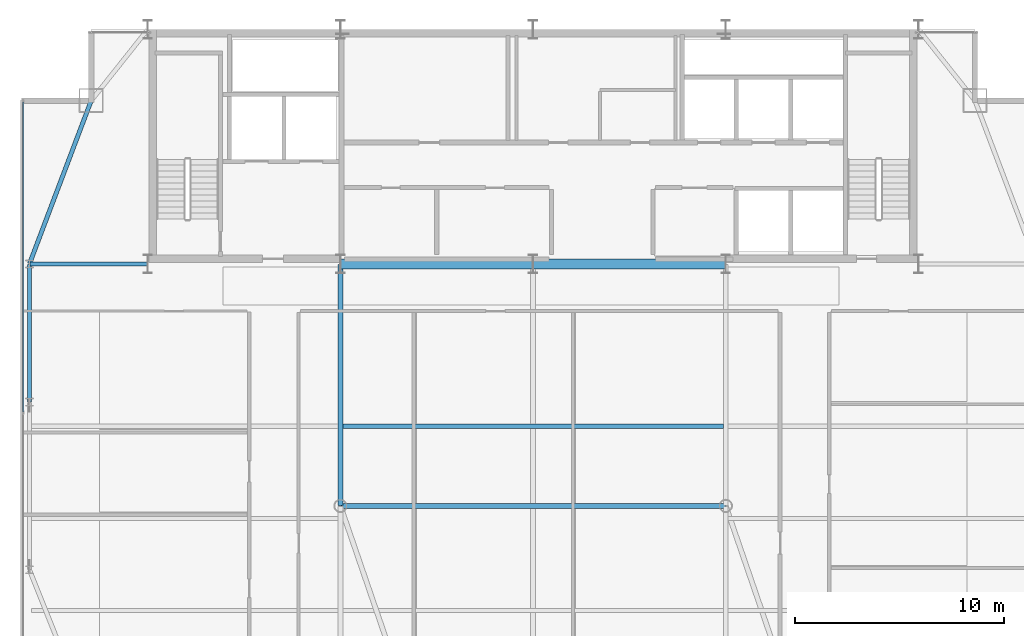
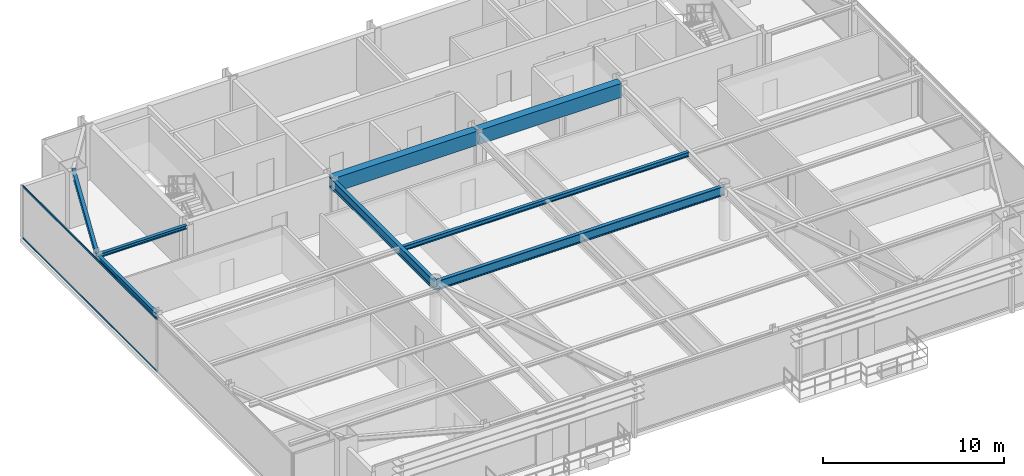
# One storey, part 11 of 30: 8 beams, 2 members, 1 element without a shape of its own.
"""IFC4 building model written with IfcOpenShell, lengths in metres."""

from ifc_helpers import new_model, si_unit, direction, frame, origin, origin_2d, place, context, subcontext, project, spatial, rectangle, hollow_rectangle, i_section, extrude, source, transform, mapped, material, layer, layer_set, material_profile, profile_set, type_object, type_shapes, element, aggregate, save


model = new_model("IFC4")

# Units and contexts
model_context = context("Model", 3, precision=1e-05, world=origin(), true_north=direction((0.0, 1.0)))
body_context = subcontext(model_context, "Body", "Model", "MODEL_VIEW")
ifc_project = project(units=[si_unit("LENGTHUNIT", "METRE"), si_unit("AREAUNIT", "SQUARE_METRE"), si_unit("VOLUMEUNIT", "CUBIC_METRE"), si_unit("PLANEANGLEUNIT", "RADIAN"), si_unit("MASSUNIT", "GRAM", prefix="KILO")], contexts=[model_context])

# Site, building, storey
site_placement = place(None, origin())
site = spatial("IfcSite", under=ifc_project, at=site_placement, CompositionType="ELEMENT")
building_placement = place(site_placement, origin())
building = spatial("IfcBuilding", under=site, at=building_placement, Name="Varnel Quay Broadcast Tower", CompositionType="ELEMENT")
storey_placement = place(building_placement, frame((0.0, 0.0, 211.199951171875)))
storey = spatial("IfcBuildingStorey", under=building, at=storey_placement, Name="L52", CompositionType="ELEMENT", Elevation=211.199951171875)

# Beams
ifc_material_1 = material(Name="Concrete CSA A23.3 C50/60", Category="concrete")
ifc_material_profile_1 = material_profile(ifc_material_1, rectangle(XDim=0.5, YDim=0.949951171875, at=origin_2d()), Name="RC500X950")
ifc_profile_set_1 = profile_set([ifc_material_profile_1], Name="Concrete CSA A23.3 C50/60")
beam_type_1 = type_object("IfcBeamType", Name="Beam_RC500X950", PredefinedType="BEAM", material=ifc_profile_set_1)
shared_shape_1 = source(origin(), body_context, "Body", "SweptSolid", [
    extrude(rectangle(XDim=0.5, YDim=0.949951171875, at=origin_2d()), origin(), (0.0, 0.0, 1.0), 9.159912109375),
])
type_shapes(beam_type_1, [shared_shape_1])
for number, where, z_axis, x_axis, name in (
    (1, (24.820068359375, 35.60009765625, 3.074951171875), (1.0, 0.0, 0.0), (0.0, 1.0, 0.0), "L52 Core Coupling Beam W"),
    (2, (34.02001953125, 35.60009765625, 3.074951171875), (1.0, 0.0, 0.0), (0.0, 1.0, 0.0), "L52 Core Coupling Beam E"),
):
    element("IfcBeam", number, at=place(storey_placement, frame(where, z_axis=z_axis, x_axis=x_axis)), inside=storey, type_object=beam_type_1, Name=name, PredefinedType="BEAM", context=body_context, shape_type="MappedRepresentation", body=[
        mapped(shared_shape_1, transform((0.0, 0.0, 0.0), x_axis=(1.0, 0.0, 0.0), y_axis=(0.0, 1.0, 0.0), z_axis=(0.0, 0.0, 1.0), scale=1.0)),
    ])
ifc_material_2 = material(Name="Structural Steel CSA G40.21 350W", Category="steel")
ifc_material_profile_2 = material_profile(ifc_material_2, i_section(OverallWidth=0.205078125, OverallDepth=0.35400390625, WebThickness=0.009521484375, FlangeThickness=0.016845703125, FilletRadius=0.012939453125, at=origin_2d()), Name="W360X79")
ifc_profile_set_2 = profile_set([ifc_material_profile_2], Name="Structural Steel CSA G40.21 350W")
beam_type_2 = type_object("IfcBeamType", Name="Beam_W360X79", PredefinedType="SPANDREL", material=ifc_profile_set_2)
shared_shape_2 = source(origin(), body_context, "Body", "SweptSolid", [
    extrude(i_section(OverallWidth=0.205078125, OverallDepth=0.35400390625, WebThickness=0.009521484375, FlangeThickness=0.016845703125, FilletRadius=0.012939453125, at=origin_2d()), origin(), (0.0, 0.0, 1.0), 6.56005859375),
])
beam_1_placement = place(storey_placement, frame((9.949951171875, 29.02001953125, 3.373046875), z_axis=(0.0, 1.0, 0.0), x_axis=(-1.0, 0.0, 0.0)))
element("IfcBeam", 3, at=beam_1_placement, inside=storey, type_object=beam_type_2, Name="L52 West Spandrel TC-W2-TC-W3", PredefinedType="SPANDREL", context=body_context, shape_type="MappedRepresentation", body=[
    mapped(shared_shape_2, transform((0.0, 0.0, 0.0), x_axis=(1.0, 0.0, 0.0), y_axis=(0.0, 1.0, 0.0), z_axis=(0.0, 0.0, 1.0), scale=1.0)),
])
shared_shape_3 = source(origin(), body_context, "Body", "SweptSolid", [
    extrude(i_section(OverallWidth=0.205078125, OverallDepth=0.35400390625, WebThickness=0.009521484375, FlangeThickness=0.016845703125, FilletRadius=0.012939453125, at=origin_2d()), origin(), (0.0, 0.0, 1.0), 8.29931640625),
])
type_shapes(beam_type_2, [shared_shape_2, shared_shape_3])
beam_2_placement = place(storey_placement, frame((9.95703125, 35.61865234375, 3.373046875), z_axis=(0.353739782058, 0.935343876117, 0.0), x_axis=(-0.935343876117, 0.353739782058, 0.0)))
element("IfcBeam", 4, at=beam_2_placement, inside=storey, type_object=beam_type_2, Name="L52 West Spandrel TC-W3-MC-NW", PredefinedType="SPANDREL", context=body_context, shape_type="MappedRepresentation", body=[
    mapped(shared_shape_3, transform((0.0, 0.0, 0.0), x_axis=(1.0, 0.0, 0.0), y_axis=(0.0, 1.0, 0.0), z_axis=(0.0, 0.0, 1.0), scale=1.0)),
])
ifc_material_profile_3 = material_profile(ifc_material_2, i_section(OverallWidth=0.22998046875, OverallDepth=0.616943359375, WebThickness=0.01318359375, FlangeThickness=0.022216796875, FilletRadius=0.01611328125, at=origin_2d()), Name="W610X140")
ifc_profile_set_3 = profile_set([ifc_material_profile_3], Name="Structural Steel CSA G40.21 350W")
beam_type_3 = type_object("IfcBeamType", Name="Girder_W610X140", PredefinedType="BEAM", material=ifc_profile_set_3)
shared_shape_4 = source(origin(), body_context, "Body", "SweptSolid", [
    extrude(i_section(OverallWidth=0.22998046875, OverallDepth=0.616943359375, WebThickness=0.01318359375, FlangeThickness=0.022216796875, FilletRadius=0.01611328125, at=origin_2d()), origin(), (0.0, 0.0, 1.0), 11.510009765625),
])
beam_3_placement = place(storey_placement, frame((24.800048828125, 24.070068359375, 3.241455078125), z_axis=(0.0, 1.0, 0.0), x_axis=(-1.0, 0.0, 0.0)))
element("IfcBeam", 5, at=beam_3_placement, inside=storey, type_object=beam_type_3, Name="L52 Primary Girder IC-01-CC-S2", PredefinedType="BEAM", context=body_context, shape_type="MappedRepresentation", body=[
    mapped(shared_shape_4, transform((0.0, 0.0, 0.0), x_axis=(1.0, 0.0, 0.0), y_axis=(0.0, 1.0, 0.0), z_axis=(0.0, 0.0, 1.0), scale=1.0)),
])
shared_shape_5 = source(origin(), body_context, "Body", "SweptSolid", [
    extrude(i_section(OverallWidth=0.22998046875, OverallDepth=0.616943359375, WebThickness=0.01318359375, FlangeThickness=0.022216796875, FilletRadius=0.01611328125, at=origin_2d()), origin(), (0.0, 0.0, 1.0), 18.35986328125),
])
type_shapes(beam_type_3, [shared_shape_4, shared_shape_5])
beam_4_placement = place(storey_placement, frame((24.820068359375, 24.050048828125, 3.241455078125), z_axis=(1.0, 0.0, 0.0), x_axis=(0.0, 1.0, 0.0)))
element("IfcBeam", 6, at=beam_4_placement, inside=storey, type_object=beam_type_3, Name="L52 Interior Spine Girder", PredefinedType="BEAM", context=body_context, shape_type="MappedRepresentation", body=[
    mapped(shared_shape_5, transform((0.0, 0.0, 0.0), x_axis=(1.0, 0.0, 0.0), y_axis=(0.0, 1.0, 0.0), z_axis=(0.0, 0.0, 1.0), scale=1.0)),
])
ifc_material_profile_4 = material_profile(ifc_material_2, i_section(OverallWidth=0.201904296875, OverallDepth=0.2470703125, WebThickness=0.00732421875, FlangeThickness=0.010986328125, FilletRadius=0.010986328125, at=origin_2d()), Name="W250X49")
ifc_profile_set_4 = profile_set([ifc_material_profile_4], Name="Structural Steel CSA G40.21 350W")
beam_type_4 = type_object("IfcBeamType", Name="Beam_W250X49", PredefinedType="JOIST", material=ifc_profile_set_4)
shared_shape_6 = source(origin(), body_context, "Body", "SweptSolid", [
    extrude(i_section(OverallWidth=0.201904296875, OverallDepth=0.2470703125, WebThickness=0.00732421875, FlangeThickness=0.010986328125, FilletRadius=0.010986328125, at=origin_2d()), origin(), (0.0, 0.0, 1.0), 5.610107421875),
])
type_shapes(beam_type_4, [shared_shape_6])
beam_5_placement = place(storey_placement, frame((9.969970703125, 35.60009765625, 3.426513671875), z_axis=(1.0, 0.0, 0.0), x_axis=(0.0, 1.0, 0.0)))
element("IfcBeam", 7, at=beam_5_placement, inside=storey, type_object=beam_type_4, Name="L52 West Core Tie Joist", PredefinedType="JOIST", context=body_context, shape_type="MappedRepresentation", body=[
    mapped(shared_shape_6, transform((0.0, 0.0, 0.0), x_axis=(1.0, 0.0, 0.0), y_axis=(0.0, 1.0, 0.0), z_axis=(0.0, 0.0, 1.0), scale=1.0)),
])
ifc_material_profile_5 = material_profile(ifc_material_2, i_section(OverallWidth=0.202880859375, OverallDepth=0.302978515625, WebThickness=0.007568359375, FlangeThickness=0.01318359375, FilletRadius=0.011962890625, at=origin_2d()), Name="W310X60")
ifc_profile_set_5 = profile_set([ifc_material_profile_5], Name="Structural Steel CSA G40.21 350W")
beam_type_5 = type_object("IfcBeamType", Name="Beam_W310X60", PredefinedType="JOIST", material=ifc_profile_set_5)
shared_shape_7 = source(origin(), body_context, "Body", "SweptSolid", [
    extrude(i_section(OverallWidth=0.202880859375, OverallDepth=0.302978515625, WebThickness=0.007568359375, FlangeThickness=0.01318359375, FilletRadius=0.011962890625, at=origin_2d()), origin(), (0.0, 0.0, 1.0), 18.18017578125),
])
type_shapes(beam_type_5, [shared_shape_7])
beam_6_placement = place(storey_placement, frame((24.909912109375, 27.85009765625, 3.3984375), z_axis=(1.0, 0.0, 0.0), x_axis=(0.0, 1.0, 0.0)))
element("IfcBeam", 8, at=beam_6_placement, inside=storey, type_object=beam_type_5, Name="L52 Central Floor Joist 4", PredefinedType="JOIST", context=body_context, shape_type="MappedRepresentation", body=[
    mapped(shared_shape_7, transform((0.0, 0.0, 0.0), x_axis=(1.0, 0.0, 0.0), y_axis=(0.0, 1.0, 0.0), z_axis=(0.0, 0.0, 1.0), scale=1.0)),
])

# Curtain wall, members
ifc_material_3 = material(Name="Anodised Bronze Aluminium 6063-T6", Category="aluminium")
ifc_layer = layer(ifc_material_3, 0.18994140625, Name="Anodised Bronze Aluminium 6063-T6")
ifc_layer_set = layer_set([ifc_layer], Name="Anodised Bronze Aluminium 6063-T6")
curtain_wall_type = type_object("IfcCurtainWallType", Name="CW_UpperTower", PredefinedType="NOTDEFINED", material=ifc_layer_set)
curtain_wall_placement = place(storey_placement, origin())
curtain_wall = element("IfcCurtainWall", 9, at=curtain_wall_placement, inside=storey, type_object=curtain_wall_type, Name="L52 West Unitised Curtain Wall", PredefinedType="NOTDEFINED")
ifc_material_profile_6 = material_profile(ifc_material_3, hollow_rectangle(XDim=0.06005859375, YDim=0.125, WallThickness=0.0029296875, at=origin_2d()), Name="ALU60X125X3")
ifc_profile_set_6 = profile_set([ifc_material_profile_6], Name="Anodised Bronze Aluminium 6063-T6")
member_type = type_object("IfcMemberType", Name="Tran_CWS-03", PredefinedType="USERDEFINED", material=ifc_profile_set_6)
shared_shape_8 = source(origin(), body_context, "Body", "SweptSolid", [
    extrude(hollow_rectangle(XDim=0.06005859375, YDim=0.125, WallThickness=0.0029296875, at=origin_2d()), origin(), (0.0, 0.0, 1.0), 14.802490234375),
])
type_shapes(member_type, [shared_shape_8])
member_1_placement = place(storey_placement, frame((9.64990234375, 28.532470703125, 0.030029296875), z_axis=(0.0, 1.0, 0.0), x_axis=(-1.0, 0.0, 0.0)))
member_1 = element("IfcMember", 10, at=member_1_placement, type_object=member_type, Name="CWS-03 transom 2.1", ObjectType="TRANSOM", PredefinedType="USERDEFINED", context=body_context, shape_type="MappedRepresentation", body=[
    mapped(shared_shape_8, transform((0.0, 0.0, 0.0), x_axis=(1.0, 0.0, 0.0), y_axis=(0.0, 1.0, 0.0), z_axis=(0.0, 0.0, 1.0), scale=1.0)),
])
member_2_placement = place(storey_placement, frame((9.64990234375, 28.532470703125, 3.52001953125), z_axis=(0.0, 1.0, 0.0), x_axis=(-1.0, 0.0, 0.0)))
member_2 = element("IfcMember", 11, at=member_2_placement, type_object=member_type, Name="CWS-03 transom 2.2", ObjectType="TRANSOM", PredefinedType="USERDEFINED", context=body_context, shape_type="MappedRepresentation", body=[
    mapped(shared_shape_8, transform((0.0, 0.0, 0.0), x_axis=(1.0, 0.0, 0.0), y_axis=(0.0, 1.0, 0.0), z_axis=(0.0, 0.0, 1.0), scale=1.0)),
])
aggregate(curtain_wall, [member_1, member_2])

save(model, "model.ifc")
